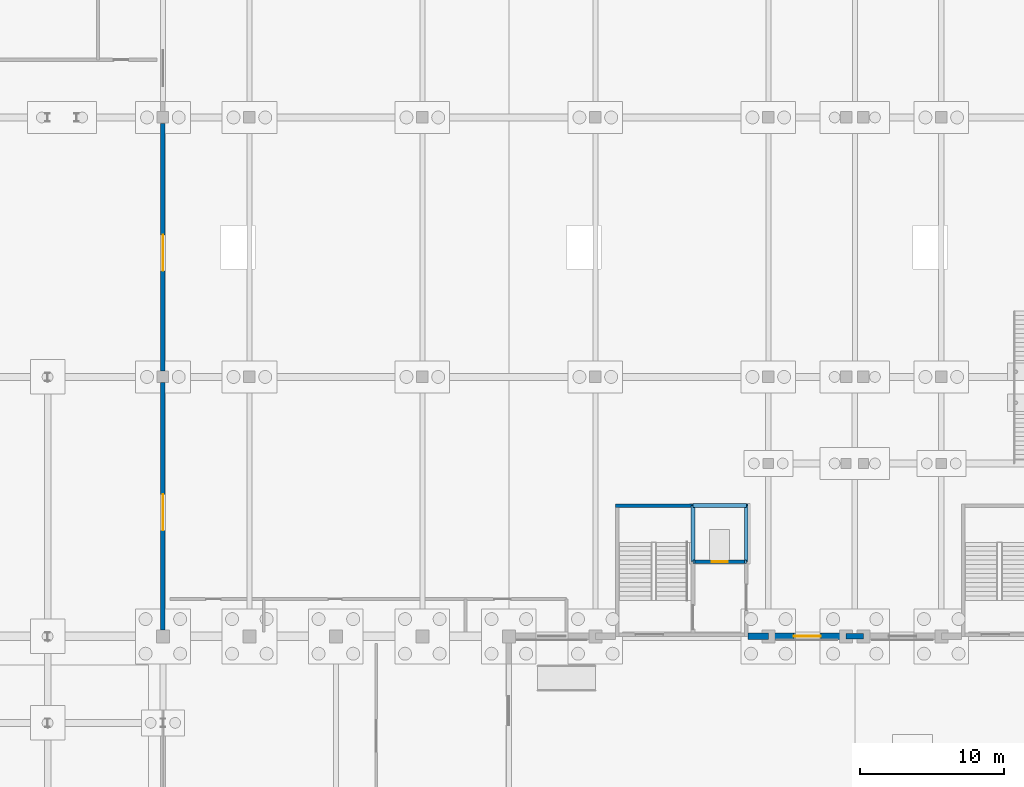
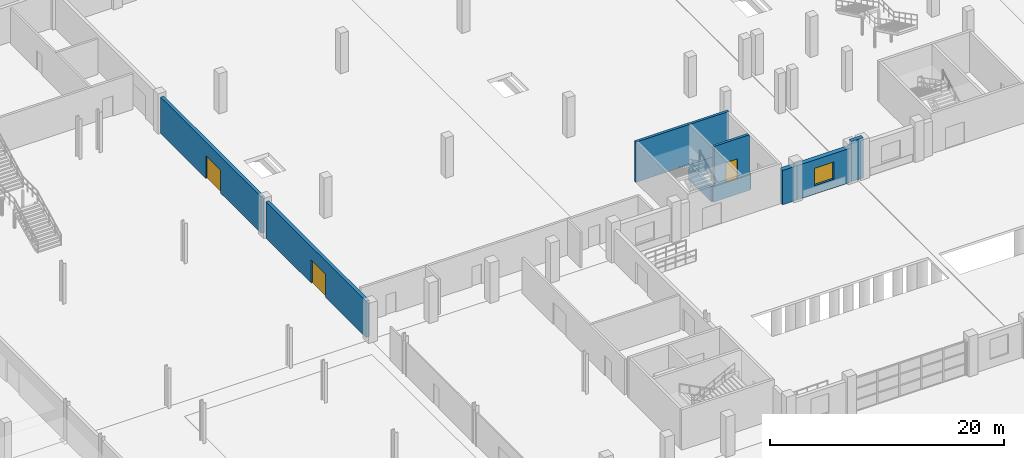
# One storey, part 58 of 77: 11 walls, 3 doors, 1 window, 4 openings.
"""IFC4 building model written with IfcOpenShell, lengths in metres."""

import ifcopenshell
import ifcopenshell.guid

model = None  # the IFC model being written
_history = None  # IfcOwnerHistory: only IFC2X3 demands one
_inside = {}  # id of a spatial element -> (the spatial element, [elements in it])
_under = {}  # id of a project, library or spatial element -> (it, [spatial elements below it])
_declared = {}  # id of a project -> (the project, [libraries it declares])
_typed = {}  # id of a type object -> (the type object, [elements of that type])
_made_of = {}  # id of a material, layer set ... -> (it, [elements and type objects made of it])


def new_model(schema):
    """Start an empty IFC model of exactly this schema.

    Asked for "IFC4X3", IfcOpenShell would pick the latest addendum, in which some entities
    have other attributes; the version numbers below select the first issue.
    IFC2X3 requires an IfcOwnerHistory on every rooted entity: one is made here for all.
    """
    global model, _history
    if schema == "IFC4X3":
        model = ifcopenshell.file(schema_version=(4, 3, 0, 0))
    else:
        model = ifcopenshell.file(schema=schema)
    _inside.clear()
    _under.clear()
    _declared.clear()
    _typed.clear()
    _made_of.clear()
    _history = None
    if model.schema == "IFC2X3":
        org = make("IfcOrganization", Name="unknown")
        user = make(
            "IfcPersonAndOrganization",
            ThePerson=make("IfcPerson", FamilyName="unknown"),
            TheOrganization=org,
        )
        app = make(
            "IfcApplication",
            ApplicationDeveloper=org,
            Version="unknown",
            ApplicationFullName="unknown",
            ApplicationIdentifier="unknown",
        )
        _history = make(
            "IfcOwnerHistory",
            OwningUser=user,
            OwningApplication=app,
            ChangeAction="ADDED",
            CreationDate=0,
        )
    return model


def make(cls, **values):
    """One entity of the class cls with the attributes given. An attribute that is None is left unset."""
    return model.create_entity(
        cls, **{name: value for name, value in values.items() if value is not None}
    )


def rooted(cls, **values):
    """An entity with a GlobalId (a new one), such as an element, a storey or a relation."""
    return make(cls, GlobalId=ifcopenshell.guid.new(), OwnerHistory=_history, **values)


def si_unit(unit_type, name, prefix=None):
    """IfcSIUnit, for example si_unit("LENGTHUNIT", "METRE", prefix="MILLI")."""
    return make("IfcSIUnit", UnitType=unit_type, Prefix=prefix, Name=name)


def assignment(units):
    """IfcUnitAssignment: the units of a project."""
    return None if units is None else make("IfcUnitAssignment", Units=units)


def point(xyz):
    """IfcCartesianPoint."""
    return None if xyz is None else make("IfcCartesianPoint", Coordinates=xyz)


def direction(xyz):
    """IfcDirection."""
    return None if xyz is None else make("IfcDirection", DirectionRatios=xyz)


def frame(location, z_axis=None, x_axis=None):
    """IfcAxis2Placement3D, a coordinate frame: its origin and axes. An axis left out is left unset."""
    return make(
        "IfcAxis2Placement3D",
        Location=point(location),
        Axis=direction(z_axis),
        RefDirection=direction(x_axis),
    )


def frame_2d(location, x_axis=None):
    """IfcAxis2Placement2D, a coordinate frame in the plane: its origin and x axis."""
    return make(
        "IfcAxis2Placement2D", Location=point(location), RefDirection=direction(x_axis)
    )


def origin():
    """The frame at (0, 0, 0) with its axes left unset."""
    return frame((0.0, 0.0, 0.0))


def place(relative_to, where):
    """IfcLocalPlacement: puts the frame where relative to a parent placement (None: the world)."""
    return make(
        "IfcLocalPlacement", PlacementRelTo=relative_to, RelativePlacement=where
    )


def context(
    kind, dimensions, precision=None, world=None, true_north=None, identifier=None
):
    """IfcGeometricRepresentationContext, for example the 3D "Model" context."""
    return make(
        "IfcGeometricRepresentationContext",
        ContextIdentifier=identifier,
        ContextType=kind,
        CoordinateSpaceDimension=dimensions,
        Precision=precision,
        WorldCoordinateSystem=world,
        TrueNorth=true_north,
    )


def subcontext(parent, identifier, kind, view, scale=None):
    """IfcGeometricRepresentationSubContext, for example "Body" below "Model"."""
    return make(
        "IfcGeometricRepresentationSubContext",
        ContextIdentifier=identifier,
        ContextType=kind,
        ParentContext=parent,
        TargetScale=scale,
        TargetView=view,
    )


def project(units=None, contexts=None):
    """IfcProject with its units and contexts."""
    return rooted(
        "IfcProject",
        Name="project",
        RepresentationContexts=contexts,
        UnitsInContext=assignment(units),
    )


def spatial(cls, under=None, at=None, **own):
    """A site, building, storey or space (cls), placed at a placement, below another one or the project."""
    s = rooted(cls, ObjectPlacement=at, **own)
    if under is not None:
        _under.setdefault(under.id(), (under, []))[1].append(s)
    return s


def profile(cls, at=None, kind="AREA", **sizes):
    """A parametric profile (cls). Its sizes go by their IFC names, for example OverallWidth=200.0."""
    return make(cls, ProfileType=kind, Position=at, **sizes)


def rectangle(**sizes):
    """IfcRectangleProfileDef."""
    return profile("IfcRectangleProfileDef", **sizes)


def extrude(swept, where, along, depth):
    """IfcExtrudedAreaSolid: the profile swept, set in the frame where, extruded along a direction by depth."""
    return make(
        "IfcExtrudedAreaSolid",
        SweptArea=swept,
        Position=where,
        ExtrudedDirection=direction(along),
        Depth=depth,
    )


def shape(context_of_items, identifier, shape_type, items):
    """IfcShapeRepresentation: the items that make up one representation, for example the "Body"."""
    return make(
        "IfcShapeRepresentation",
        ContextOfItems=context_of_items,
        RepresentationIdentifier=identifier,
        RepresentationType=shape_type,
        Items=items,
    )


def material(Name=None, Category=None):
    """IfcMaterial."""
    return make("IfcMaterial", Name=Name, Category=Category)


def layer(
    of_material, thickness, ventilated=None, Name=None, Category=None, Priority=None
):
    """IfcMaterialLayer: one layer of a wall or slab, of a material (None: an air gap)."""
    return make(
        "IfcMaterialLayer",
        Material=of_material,
        LayerThickness=thickness,
        IsVentilated=ventilated,
        Name=Name,
        Category=Category,
        Priority=Priority,
    )


def layer_set(layers, Name=None):
    """IfcMaterialLayerSet."""
    return make("IfcMaterialLayerSet", MaterialLayers=layers, LayerSetName=Name)


def made_of(thing, what):
    """Note that an element or type object is made of a material, layer set ...; save() writes the relation."""
    if what is not None:
        _made_of.setdefault(what.id(), (what, []))[1].append(thing)
    return thing


def type_object(cls, material=None, **own):
    """A type object (cls), such as IfcWallType, which elements share."""
    return made_of(rooted(cls, **own), material)


def element(
    cls,
    number,
    at=None,
    inside=None,
    cuts=None,
    type_object=None,
    material=None,
    context=None,
    identifier="Body",
    shape_type=None,
    held_by="IfcProductDefinitionShape",
    body=None,
    shapes=None,
    **own,
):
    """One element of the class cls, such as IfcWall. Its Tag is "e" and its number.

    at: its placement. inside: the storey or other place that contains it. cuts: it is an
    opening in that element (IfcRelVoidsElement). A single representation is given by context,
    identifier, shape_type and body (its items); several are given by shapes. held_by: the class
    of the entity that holds the representations. save() writes the other relations.
    """
    e = rooted(cls, Tag="e%d" % number, ObjectPlacement=at, **own)
    if body is not None:
        shapes = [shape(context, identifier, shape_type, body)]
    if shapes is not None:
        e.Representation = make(held_by, Representations=shapes)
    if inside is not None:
        _inside.setdefault(inside.id(), (inside, []))[1].append(e)
    if cuts is not None:
        rooted(
            "IfcRelVoidsElement", RelatingBuildingElement=cuts, RelatedOpeningElement=e
        )
    if type_object is not None:
        _typed.setdefault(type_object.id(), (type_object, []))[1].append(e)
    return made_of(e, material)


def fill(opening, filler):
    """IfcRelFillsElement: the door or window that sits in an opening."""
    return rooted(
        "IfcRelFillsElement",
        RelatingOpeningElement=opening,
        RelatedBuildingElement=filler,
    )


def aggregate(whole, parts):
    """IfcRelAggregates: a whole, such as a stair, and the parts it consists of."""
    return rooted("IfcRelAggregates", RelatingObject=whole, RelatedObjects=parts)


def save(model, path):
    """Write the relations noted so far, then the file.

    IfcRelAggregates (storeys below a building ...), IfcRelContainedInSpatialStructure (elements
    in a storey), IfcRelDefinesByType, IfcRelAssociatesMaterial and IfcRelDeclares: one each for
    every whole, place, type object, material and project.
    """
    for whole, parts in _under.values():
        aggregate(whole, parts)
    for where, things in _inside.values():
        rooted(
            "IfcRelContainedInSpatialStructure",
            RelatedElements=things,
            RelatingStructure=where,
        )
    for kind, things in _typed.values():
        rooted("IfcRelDefinesByType", RelatedObjects=things, RelatingType=kind)
    for what, things in _made_of.values():
        rooted("IfcRelAssociatesMaterial", RelatedObjects=things, RelatingMaterial=what)
    for by, libraries in _declared.values():
        rooted("IfcRelDeclares", RelatingContext=by, RelatedDefinitions=libraries)
    model.write(path)


model = new_model("IFC4")

# Units and contexts
model_context = context("Model", 3, precision=1e-05, world=origin(), true_north=direction((0.0, 1.0)))
body_context = subcontext(model_context, "Body", "Model", "MODEL_VIEW")
ifc_project = project(units=[si_unit("LENGTHUNIT", "METRE"), si_unit("AREAUNIT", "SQUARE_METRE"), si_unit("VOLUMEUNIT", "CUBIC_METRE"), si_unit("PLANEANGLEUNIT", "RADIAN"), si_unit("MASSUNIT", "GRAM", prefix="KILO")], contexts=[model_context])

# Site, building, storey
site_placement = place(None, origin())
site = spatial("IfcSite", under=ifc_project, at=site_placement, CompositionType="ELEMENT")
building_placement = place(site_placement, origin())
building = spatial("IfcBuilding", under=site, at=building_placement, Name="Zilviju Railside Exhibition Hall", CompositionType="ELEMENT")
storey_placement = place(building_placement, origin())
storey = spatial("IfcBuildingStorey", under=building, at=storey_placement, Name="L01", CompositionType="ELEMENT", Elevation=0.0)

# Wall, opening, door
ifc_material_1 = material(Name="Concrete C40/50", Category="concrete")
ifc_layer_1 = layer(ifc_material_1, 0.320068359375)
ifc_layer_set_1 = layer_set([ifc_layer_1], Name="Concrete C40/50")
wall_type_1 = type_object("IfcWallType", Name="WL-COMP-320", PredefinedType="SHEAR", material=ifc_layer_set_1)
wall_1_placement = place(storey_placement, frame((78.0, 84.451904296875, 0.0), z_axis=(0.0, 0.0, 1.0), x_axis=(0.0, 1.0, 0.0)))
wall_1 = element("IfcWall", 1, at=wall_1_placement, inside=storey, type_object=wall_type_1, Name="REI 180 North Hall Compartment Wall L01", PredefinedType="SHEAR", context=body_context, shape_type="SweptSolid", body=[
    extrude(rectangle(XDim=17.14599609375, YDim=0.320068359375, at=frame_2d((8.572998046875, 0.0))), origin(), (0.0, 0.0, 1.0), 3.800048828125),
])
opening_1_placement = place(wall_1_placement, frame((6.89794921875, 0.0, 0.0)))
opening_1 = element("IfcOpeningElement", 2, at=opening_1_placement, cuts=wall_1, Name="Opening FD-04", PredefinedType="OPENING", context=body_context, shape_type="SweptSolid", body=[
    extrude(rectangle(XDim=2.5, YDim=2.39990234375, at=frame_2d((1.25, 1.199951171875))), frame((0.0, 0.169921875, 0.0), z_axis=(0.0, -1.0, 0.0), x_axis=(1.0, 0.0, 0.0)), (0.0, 0.0, 1.0), 0.340087890625),
])
ifc_material_2 = material(Name="Exhibition hall fire compartment double door EI 60", Category="wood")
door_type_1 = type_object("IfcDoorType", Name="DR-COMP-250x240", OperationType="NOTDEFINED", PredefinedType="DOOR", material=ifc_material_2)
door_1_placement = place(opening_1_placement, origin())
door_1 = element("IfcDoor", 3, at=door_1_placement, inside=storey, type_object=door_type_1, Name="North Hall Entry Fire Door L01", OperationType="DOUBLE_DOOR_SINGLE_SWING", OverallHeight=2.39990234375, OverallWidth=2.5, PredefinedType="DOOR", context=body_context, shape_type="SweptSolid", body=[
    extrude(rectangle(XDim=2.5, YDim=2.39990234375, at=frame_2d((1.25, 1.199951171875))), frame((0.0, 0.02490234375, 0.0), z_axis=(0.0, -1.0, 0.0), x_axis=(1.0, 0.0, 0.0)), (0.0, 0.0, 1.0), 0.050048828125),
])
fill(opening_1, door_1)

wall_2_placement = place(storey_placement, frame((78.0, 102.402099609375, 0.0), z_axis=(0.0, 0.0, 1.0), x_axis=(0.0, 1.0, 0.0)))
wall_2 = element("IfcWall", 4, at=wall_2_placement, inside=storey, type_object=wall_type_1, Name="REI 180 North Hall Compartment Wall L01", PredefinedType="SHEAR", context=body_context, shape_type="SweptSolid", body=[
    extrude(rectangle(XDim=17.19580078125, YDim=0.320068359375, at=frame_2d((8.597900390625, 0.0))), origin(), (0.0, 0.0, 1.0), 3.800048828125),
])
opening_2_placement = place(wall_2_placement, frame((6.947998046875, 0.0, 0.0)))
opening_2 = element("IfcOpeningElement", 5, at=opening_2_placement, cuts=wall_2, Name="Opening FD-04", PredefinedType="OPENING", context=body_context, shape_type="SweptSolid", body=[
    extrude(rectangle(XDim=2.5, YDim=2.39990234375, at=frame_2d((1.25, 1.199951171875))), frame((0.0, 0.169921875, 0.0), z_axis=(0.0, -1.0, 0.0), x_axis=(1.0, 0.0, 0.0)), (0.0, 0.0, 1.0), 0.340087890625),
])
door_2_placement = place(opening_2_placement, origin())
door_2 = element("IfcDoor", 6, at=door_2_placement, inside=storey, type_object=door_type_1, Name="North Hall Entry Fire Door L01", OperationType="DOUBLE_DOOR_SINGLE_SWING", OverallHeight=2.39990234375, OverallWidth=2.5, PredefinedType="DOOR", context=body_context, shape_type="SweptSolid", body=[
    extrude(rectangle(XDim=2.5, YDim=2.39990234375, at=frame_2d((1.25, 1.199951171875))), frame((0.0, 0.02490234375, 0.0), z_axis=(0.0, -1.0, 0.0), x_axis=(1.0, 0.0, 0.0)), (0.0, 0.0, 1.0), 0.050048828125),
])
fill(opening_2, door_2)

# Wall
ifc_material_3 = material(Name="Concrete C35/45", Category="concrete")
ifc_layer_2 = layer(ifc_material_3, 0.25)
ifc_layer_set_2 = layer_set([ifc_layer_2], Name="Concrete C35/45")
wall_type_2 = type_object("IfcWallType", Name="WL-CORE-250", PredefinedType="SHEAR", material=ifc_layer_set_2)
wall_3_placement = place(storey_placement, frame((109.39990234375, 93.074951171875, 0.0), z_axis=(0.0, 0.0, 1.0), x_axis=(1.0, 0.0, 0.0)))
element("IfcWall", 7, at=wall_3_placement, inside=storey, type_object=wall_type_2, Name="Core C04 North Hall Court West Core Rear Wall L01", PredefinedType="SHEAR", context=body_context, shape_type="SweptSolid", body=[
    extrude(rectangle(XDim=9.2001953125, YDim=0.25, at=frame_2d((4.60009765625, 0.0))), origin(), (0.0, 0.0, 1.0), 4.199951171875),
])

# Wall, opening, door
wall_4_placement = place(storey_placement, frame((114.89990234375, 89.175048828125, 0.0), z_axis=(0.0, 0.0, 1.0), x_axis=(1.0, 0.0, 0.0)))
wall_4 = element("IfcWall", 8, at=wall_4_placement, inside=storey, type_object=wall_type_2, Name="Core C04 North Hall Court West Lift Shaft Front Wall L01", PredefinedType="SHEAR", context=body_context, shape_type="SweptSolid", body=[
    extrude(rectangle(XDim=3.4501953125, YDim=0.25, at=frame_2d((1.72509765625, 0.0))), origin(), (0.0, 0.0, 1.0), 4.199951171875),
])
opening_3_placement = place(wall_4_placement, frame((1.175048828125, 0.0, 0.0)))
opening_3 = element("IfcOpeningElement", 9, at=opening_3_placement, cuts=wall_4, Name="Opening LD-01", PredefinedType="OPENING", context=body_context, shape_type="SweptSolid", body=[
    extrude(rectangle(XDim=1.10009765625, YDim=2.10009765625, at=frame_2d((0.550048828125, 1.050048828125))), frame((0.0, 0.135009765625, 0.0), z_axis=(0.0, -1.0, 0.0), x_axis=(1.0, 0.0, 0.0)), (0.0, 0.0, 1.0), 0.27001953125),
])
ifc_material_4 = material(Name="Passenger lift sliding landing door EI 60", Category="wood")
door_type_2 = type_object("IfcDoorType", Name="DR-LIFT-110x210", OperationType="NOTDEFINED", PredefinedType="DOOR", material=ifc_material_4)
door_3_placement = place(opening_3_placement, origin())
door_3 = element("IfcDoor", 10, at=door_3_placement, inside=storey, type_object=door_type_2, Name="Lift Landing Door LP-02 L01", OperationType="SLIDING_TO_RIGHT", OverallHeight=2.10009765625, OverallWidth=1.10009765625, PredefinedType="DOOR", context=body_context, shape_type="SweptSolid", body=[
    extrude(rectangle(XDim=1.10009765625, YDim=2.10009765625, at=frame_2d((0.550048828125, 1.050048828125))), frame((0.0, 0.02490234375, 0.0), z_axis=(0.0, -1.0, 0.0), x_axis=(1.0, 0.0, 0.0)), (0.0, 0.0, 1.0), 0.050048828125),
])
fill(opening_3, door_3)

# Walls
ifc_layer_3 = layer(ifc_material_1, 0.25)
ifc_layer_set_3 = layer_set([ifc_layer_3], Name="Concrete C40/50")
wall_type_3 = type_object("IfcWallType", Name="WL-CORE-300", PredefinedType="SHEAR", material=ifc_layer_set_3)
wall_5_placement = place(storey_placement, frame((114.780029296875, 89.179931640625, -1.60009765625), z_axis=(0.0, 0.0, 1.0), x_axis=(1.0, 0.0, 0.0)))
element("IfcWall", 11, at=wall_5_placement, inside=storey, type_object=wall_type_3, Name="Core C04 North Hall Court West Lift Pit Wall 1", PredefinedType="SHEAR", context=body_context, shape_type="SweptSolid", body=[
    extrude(rectangle(XDim=3.699951171875, YDim=0.25, at=frame_2d((1.85009765625, 0.0))), origin(), (0.0, 0.0, 1.0), 1.60009765625),
])
wall_6_placement = place(storey_placement, frame((118.47998046875, 89.179931640625, -1.60009765625), z_axis=(0.0, 0.0, 1.0), x_axis=(0.0, 1.0, 0.0)))
element("IfcWall", 12, at=wall_6_placement, inside=storey, type_object=wall_type_3, Name="Core C04 North Hall Court West Lift Pit Wall 2", PredefinedType="SHEAR", context=body_context, shape_type="SweptSolid", body=[
    extrude(rectangle(XDim=3.900146484375, YDim=0.25, at=frame_2d((1.9501953125, 0.0))), origin(), (0.0, 0.0, 1.0), 1.60009765625),
])
wall_7_placement = place(storey_placement, frame((118.47998046875, 93.080078125, -1.60009765625), z_axis=(0.0, 0.0, 1.0), x_axis=(-1.0, 0.0, 0.0)))
element("IfcWall", 13, at=wall_7_placement, inside=storey, type_object=wall_type_3, Name="Core C04 North Hall Court West Lift Pit Wall 3", PredefinedType="SHEAR", context=body_context, shape_type="SweptSolid", body=[
    extrude(rectangle(XDim=3.699951171875, YDim=0.25, at=frame_2d((1.85009765625, 0.0))), origin(), (0.0, 0.0, 1.0), 1.60009765625),
])
wall_8_placement = place(storey_placement, frame((114.780029296875, 93.080078125, -1.60009765625), z_axis=(0.0, 0.0, 1.0), x_axis=(0.0, -1.0, 0.0)))
element("IfcWall", 14, at=wall_8_placement, inside=storey, type_object=wall_type_3, Name="Core C04 North Hall Court West Lift Pit Wall 4", PredefinedType="SHEAR", context=body_context, shape_type="SweptSolid", body=[
    extrude(rectangle(XDim=3.900146484375, YDim=0.25, at=frame_2d((1.9501953125, 0.0))), origin(), (0.0, 0.0, 1.0), 1.60009765625),
])
ifc_material_5 = material(Name="Insulated cream-brick upper facade wall", Category="masonry")
ifc_layer_4 = layer(ifc_material_5, 0.3798828125)
ifc_layer_set_4 = layer_set([ifc_layer_4], Name="Insulated cream-brick upper facade wall")
wall_type_4 = type_object("IfcWallType", Name="WL-EXT-380", PredefinedType="SOLIDWALL", material=ifc_layer_set_4)
wall_9_placement = place(storey_placement, frame((126.60009765625, 84.0, 0.0), z_axis=(0.0, 0.0, 1.0), x_axis=(-1.0, 0.0, 0.0)))
element("IfcWall", 15, at=wall_9_placement, inside=storey, type_object=wall_type_4, Name="Exterior Facade Wall L01 South 0590", PredefinedType="SOLIDWALL", context=body_context, shape_type="SweptSolid", body=[
    extrude(rectangle(XDim=1.2001953125, YDim=0.3798828125, at=frame_2d((0.60009765625, 0.0))), origin(), (0.0, 0.0, 1.0), 4.199951171875),
])
ifc_material_6 = material(Name="Insulated Staburags travertine masonry wall", Category="masonry")
ifc_layer_5 = layer(ifc_material_6, 0.449951171875)
ifc_layer_set_5 = layer_set([ifc_layer_5], Name="Insulated Staburags travertine masonry wall")
wall_type_5 = type_object("IfcWallType", Name="WL-EXT-450", PredefinedType="SOLIDWALL", material=ifc_layer_set_5)
wall_10_placement = place(storey_placement, frame((120.0, 84.0, 0.0), z_axis=(0.0, 0.0, 1.0), x_axis=(-1.0, 0.0, 0.0)))
element("IfcWall", 16, at=wall_10_placement, inside=storey, type_object=wall_type_5, Name="Exterior Facade Wall L01 South 0161", PredefinedType="SOLIDWALL", context=body_context, shape_type="SweptSolid", body=[
    extrude(rectangle(XDim=1.39990234375, YDim=0.449951171875, at=frame_2d((0.699951171875, 0.0))), origin(), (0.0, 0.0, 1.0), 3.580078125),
])

# Wall, opening, window
wall_11_placement = place(storey_placement, frame((125.39990234375, 84.0, 0.0), z_axis=(0.0, 0.0, 1.0), x_axis=(-1.0, 0.0, 0.0)))
wall_11 = element("IfcWall", 17, at=wall_11_placement, inside=storey, type_object=wall_type_5, Name="Exterior Facade Wall L01 South 0162", PredefinedType="SOLIDWALL", context=body_context, shape_type="SweptSolid", body=[
    extrude(rectangle(XDim=5.39990234375, YDim=0.449951171875, at=frame_2d((2.699951171875, 0.0))), origin(), (0.0, 0.0, 1.0), 3.580078125),
])
opening_4_placement = place(wall_11_placement, frame((1.75, 0.0, 0.89990234375)))
opening_4 = element("IfcOpeningElement", 18, at=opening_4_placement, cuts=wall_11, Name="Opening WN-19", PredefinedType="OPENING", context=body_context, shape_type="SweptSolid", body=[
    extrude(rectangle(XDim=1.89990234375, YDim=1.800048828125, at=frame_2d((0.949951171875, 0.89990234375))), frame((0.0, 0.23486328125, 0.0), z_axis=(0.0, -1.0, 0.0), x_axis=(1.0, 0.0, 0.0)), (0.0, 0.0, 1.0), 0.469970703125),
])
ifc_material_7 = material(Name="Triple-glazed timber-aluminium window unit", Category="wood")
window_type = type_object("IfcWindowType", Name="WIN-JUG-190x180", PartitioningType="DOUBLE_PANEL_VERTICAL", PredefinedType="WINDOW", material=ifc_material_7)
window_placement = place(opening_4_placement, origin())
window = element("IfcWindow", 19, at=window_placement, inside=storey, type_object=window_type, Name="Facade Window L01 WN-0012", OverallHeight=1.800048828125, OverallWidth=1.89990234375, PartitioningType="SINGLE_PANEL", PredefinedType="WINDOW", context=body_context, shape_type="SweptSolid", body=[
    extrude(rectangle(XDim=1.89990234375, YDim=1.800048828125, at=frame_2d((0.949951171875, 0.89990234375))), frame((0.0, 0.030029296875, 0.0), z_axis=(0.0, -1.0, 0.0), x_axis=(1.0, 0.0, 0.0)), (0.0, 0.0, 1.0), 0.06005859375),
])
fill(opening_4, window)

save(model, "model.ifc")
